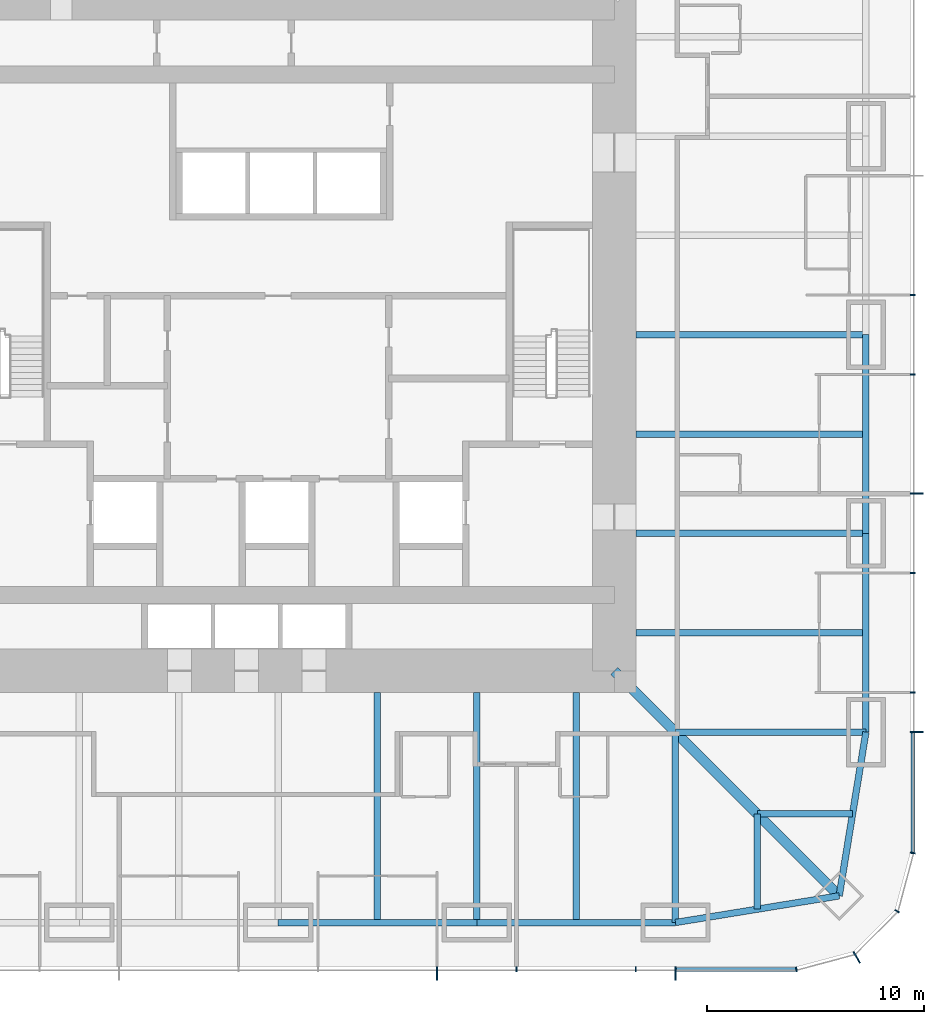
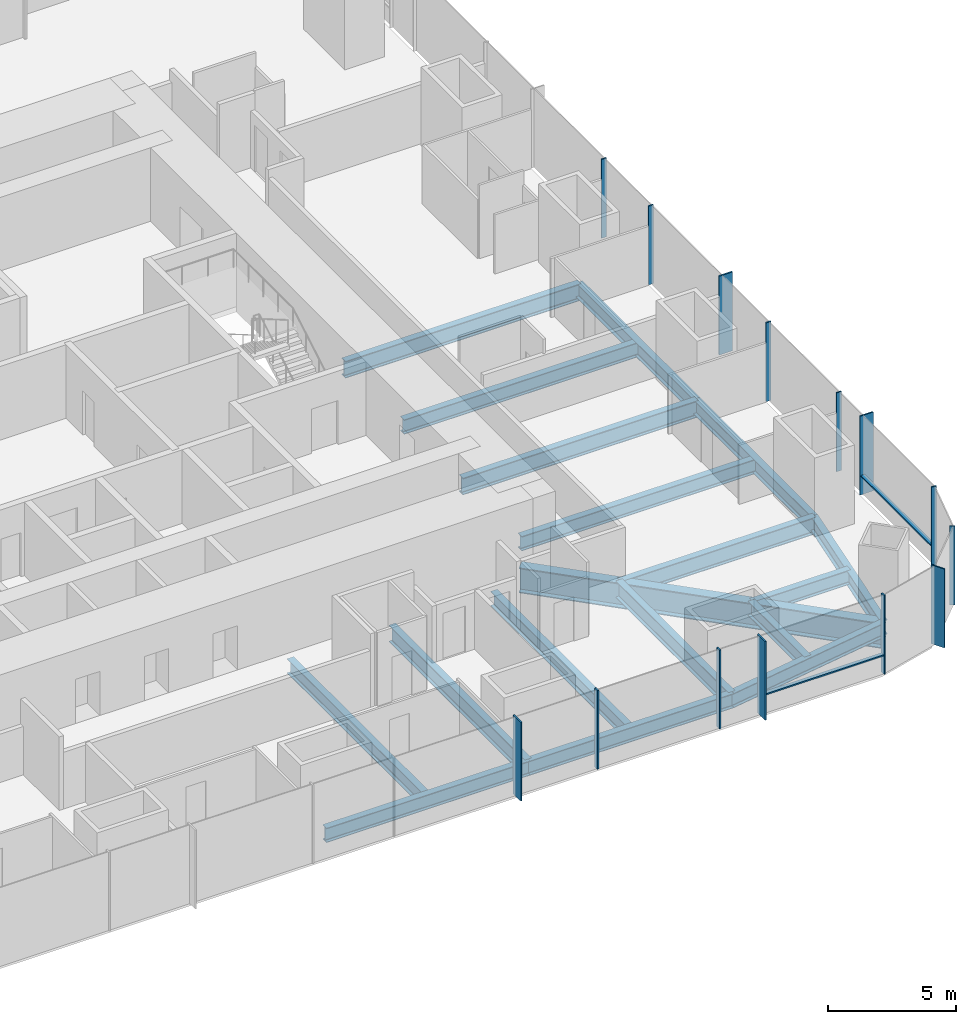
# One storey, part 4 of 13: 18 beams, 16 members, 3 elements without a shape of their own.
"""IFC4 building model written with IfcOpenShell, lengths in metres."""

from ifc_helpers import new_model, si_unit, direction, frame, origin, origin_2d, place, context, subcontext, project, spatial, rectangle, i_section, extrude, material, material_profile, profile_set, type_object, element, aggregate, save


model = new_model("IFC4")

# Units and contexts
model_context = context("Model", 3, precision=1e-05, world=origin(), true_north=direction((0.0, 1.0)))
body_context = subcontext(model_context, "Body", "Model", "MODEL_VIEW")
ifc_project = project(units=[si_unit("LENGTHUNIT", "METRE"), si_unit("AREAUNIT", "SQUARE_METRE"), si_unit("VOLUMEUNIT", "CUBIC_METRE"), si_unit("PLANEANGLEUNIT", "RADIAN"), si_unit("MASSUNIT", "GRAM", prefix="KILO")], contexts=[model_context])

# Site, building, storey
site_placement = place(None, origin())
site = spatial("IfcSite", under=ifc_project, at=site_placement, CompositionType="ELEMENT")
building_placement = place(site_placement, origin())
building = spatial("IfcBuilding", under=site, at=building_placement, Name="Khuree Lantern Residences", CompositionType="ELEMENT")
storey_placement = place(building_placement, frame((0.0, 0.0, 118.5)))
storey = spatial("IfcBuildingStorey", under=building, at=storey_placement, Name="L29", CompositionType="ELEMENT", Elevation=118.5)

# Beams
ifc_material_1 = material(Name="Steel S355", Category="steel")
ifc_material_profile_1 = material_profile(ifc_material_1, i_section(OverallWidth=0.300048828125, OverallDepth=0.68994140625, WebThickness=0.014404296875, FlangeThickness=0.027099609375, FilletRadius=0.027099609375, at=origin_2d()), Name="HE 700 A")
ifc_profile_set_1 = profile_set([ifc_material_profile_1], Name="Steel S355")
beam_type_1 = type_object("IfcBeamType", Name="B-21A SECONDARY BEAM HE 700 A", PredefinedType="BEAM", material=ifc_profile_set_1)
for number, where, z_axis, x_axis, name in (
    (1, (27.10009765625, -4.580078125, -0.594970703125), (-1.0, 0.0, 0.0), (0.0, -1.0, 0.0), "Secondary beam E4"),
    (2, (27.10009765625, -13.739990234375, -0.594970703125), (-1.0, 0.0, 0.0), (0.0, -1.0, 0.0), "Secondary beam E5"),
):
    element("IfcBeam", number, at=place(storey_placement, frame(where, z_axis=z_axis, x_axis=x_axis)), inside=storey, type_object=beam_type_1, Name=name, PredefinedType="BEAM", context=body_context, shape_type="SweptSolid", body=[
        extrude(i_section(OverallWidth=0.300048828125, OverallDepth=0.68994140625, WebThickness=0.014404296875, FlangeThickness=0.027099609375, FilletRadius=0.027099609375, at=origin_2d()), origin(), (0.0, 0.0, 1.0), 10.60009765625),
    ])
for number, where, z_axis, x_axis, name in (
    (3, (26.48486328125, -22.094970703125, -0.594970703125), (-1.0, 0.0, 0.0), (0.0, -1.0, 0.0), "Secondary beam E6"),
    (4, (22.094970703125, -26.48486328125, -0.594970703125), (0.0, 1.0, 0.0), (-1.0, 0.0, 0.0), "Secondary beam S1"),
):
    element("IfcBeam", number, at=place(storey_placement, frame(where, z_axis=z_axis, x_axis=x_axis)), inside=storey, type_object=beam_type_1, Name=name, PredefinedType="BEAM", context=body_context, shape_type="SweptSolid", body=[
        extrude(i_section(OverallWidth=0.300048828125, OverallDepth=0.68994140625, WebThickness=0.014404296875, FlangeThickness=0.027099609375, FilletRadius=0.027099609375, at=origin_2d()), origin(), (0.0, 0.0, 1.0), 4.389892578125),
    ])
for number, where, z_axis, x_axis, name in (
    (5, (13.739990234375, -27.10009765625, -0.594970703125), (0.0, 1.0, 0.0), (-1.0, 0.0, 0.0), "Secondary beam S2"),
    (6, (4.580078125, -27.10009765625, -0.594970703125), (0.0, 1.0, 0.0), (-1.0, 0.0, 0.0), "Secondary beam S3"),
):
    element("IfcBeam", number, at=place(storey_placement, frame(where, z_axis=z_axis, x_axis=x_axis)), inside=storey, type_object=beam_type_1, Name=name, PredefinedType="BEAM", context=body_context, shape_type="SweptSolid", body=[
        extrude(i_section(OverallWidth=0.300048828125, OverallDepth=0.68994140625, WebThickness=0.014404296875, FlangeThickness=0.027099609375, FilletRadius=0.027099609375, at=origin_2d()), origin(), (0.0, 0.0, 1.0), 10.60009765625),
    ])
ifc_material_profile_2 = material_profile(ifc_material_1, i_section(OverallWidth=0.300048828125, OverallDepth=0.68994140625, WebThickness=0.014404296875, FlangeThickness=0.027099609375, FilletRadius=0.027099609375, at=origin_2d()), Name="HE 700 A")
ifc_profile_set_2 = profile_set([ifc_material_profile_2], Name="Steel S355")
beam_type_2 = type_object("IfcBeamType", Name="E-21 SPANDREL BEAM HE 700 A", PredefinedType="SPANDREL", material=ifc_profile_set_2)
beam_1_placement = place(storey_placement, frame((27.10009765625, 0.0, -0.594970703125), z_axis=(0.0, -1.0, 0.0), x_axis=(1.0, 0.0, 0.0)))
element("IfcBeam", 7, at=beam_1_placement, inside=storey, type_object=beam_type_2, Name="Spandrel beam E4", PredefinedType="SPANDREL", context=body_context, shape_type="SweptSolid", body=[
    extrude(i_section(OverallWidth=0.300048828125, OverallDepth=0.68994140625, WebThickness=0.014404296875, FlangeThickness=0.027099609375, FilletRadius=0.027099609375, at=origin_2d()), origin(), (0.0, 0.0, 1.0), 9.159912109375),
])
beam_2_placement = place(storey_placement, frame((27.10009765625, -9.159912109375, -0.594970703125), z_axis=(0.0, -1.0, 0.0), x_axis=(1.0, 0.0, 0.0)))
element("IfcBeam", 8, at=beam_2_placement, inside=storey, type_object=beam_type_2, Name="Spandrel beam E5", PredefinedType="SPANDREL", context=body_context, shape_type="SweptSolid", body=[
    extrude(i_section(OverallWidth=0.300048828125, OverallDepth=0.68994140625, WebThickness=0.014404296875, FlangeThickness=0.027099609375, FilletRadius=0.027099609375, at=origin_2d()), origin(), (0.0, 0.0, 1.0), 9.16015625),
])
for number, where, z_axis, x_axis, name in (
    (9, (27.10009765625, -18.320068359375, -0.594970703125), (-0.160826723833, -0.986982656839, 0.0), (0.986982656839, -0.160826723833, 0.0), "Spandrel beam E6"),
    (10, (25.869873046875, -25.869873046875, -0.594970703125), (-0.986982656839, -0.160826723833, 0.0), (0.160826723833, -0.986982656839, 0.0), "Spandrel beam S1"),
):
    element("IfcBeam", number, at=place(storey_placement, frame(where, z_axis=z_axis, x_axis=x_axis)), inside=storey, type_object=beam_type_2, Name=name, PredefinedType="SPANDREL", context=body_context, shape_type="SweptSolid", body=[
        extrude(i_section(OverallWidth=0.300048828125, OverallDepth=0.68994140625, WebThickness=0.014404296875, FlangeThickness=0.027099609375, FilletRadius=0.027099609375, at=origin_2d()), origin(), (0.0, 0.0, 1.0), 7.6494140625),
    ])
beam_3_placement = place(storey_placement, frame((18.320068359375, -27.10009765625, -0.594970703125), z_axis=(-1.0, 0.0, 0.0), x_axis=(0.0, -1.0, 0.0)))
element("IfcBeam", 11, at=beam_3_placement, inside=storey, type_object=beam_type_2, Name="Spandrel beam S2", PredefinedType="SPANDREL", context=body_context, shape_type="SweptSolid", body=[
    extrude(i_section(OverallWidth=0.300048828125, OverallDepth=0.68994140625, WebThickness=0.014404296875, FlangeThickness=0.027099609375, FilletRadius=0.027099609375, at=origin_2d()), origin(), (0.0, 0.0, 1.0), 9.16015625),
])
beam_4_placement = place(storey_placement, frame((9.159912109375, -27.10009765625, -0.594970703125), z_axis=(-1.0, 0.0, 0.0), x_axis=(0.0, -1.0, 0.0)))
element("IfcBeam", 12, at=beam_4_placement, inside=storey, type_object=beam_type_2, Name="Spandrel beam S3", PredefinedType="SPANDREL", context=body_context, shape_type="SweptSolid", body=[
    extrude(i_section(OverallWidth=0.300048828125, OverallDepth=0.68994140625, WebThickness=0.014404296875, FlangeThickness=0.027099609375, FilletRadius=0.027099609375, at=origin_2d()), origin(), (0.0, 0.0, 1.0), 9.159912109375),
])

# Curtain wall, member
ifc_material_2 = material(Name="Bronze anodised aluminium", Category="aluminium")
curtain_wall_type_1 = type_object("IfcCurtainWallType", Name="CW-T2 TOWER CORNER CURTAIN WALL", PredefinedType="USERDEFINED", material=ifc_material_2)
curtain_wall_1_placement = place(storey_placement, origin())
curtain_wall_1 = element("IfcCurtainWall", 13, at=curtain_wall_1_placement, inside=storey, type_object=curtain_wall_type_1, Name="L29 SOUTH-EAST CORNER CURTAIN WALL", ObjectType="Faceted corner curtain wall", PredefinedType="USERDEFINED")
ifc_material_profile_3 = material_profile(ifc_material_2, rectangle(XDim=0.06494140625, YDim=0.60009765625, at=origin_2d()), Name="F1 65X600")
ifc_profile_set_3 = profile_set([ifc_material_profile_3], Name="Bronze anodised aluminium")
member_type_1 = type_object("IfcMemberType", Name="F1 BRONZE FIN MULLION TOWER 65X600", PredefinedType="MULLION", material=ifc_profile_set_3)
member_1_placement = place(storey_placement, frame((26.675048828125, -28.70654296875, 0.0), z_axis=(0.0, 0.0, 1.0), x_axis=(0.866025388199, 0.500000026995, 0.0)))
member_1 = element("IfcMember", 14, at=member_1_placement, type_object=member_type_1, Name="L29 SOUTH-EAST CORNER FIN MULLION 2", PredefinedType="MULLION", context=body_context, shape_type="SweptSolid", body=[
    extrude(rectangle(XDim=0.06494140625, YDim=0.60009765625, at=origin_2d()), origin(), (0.0, 0.0, 1.0), 3.75),
])

# Curtain wall, members
curtain_wall_type_2 = type_object("IfcCurtainWallType", Name="CW-T1 TOWER FACE CURTAIN WALL", PredefinedType="USERDEFINED", material=ifc_material_2)
curtain_wall_2_placement = place(storey_placement, origin())
curtain_wall_2 = element("IfcCurtainWall", 15, at=curtain_wall_2_placement, inside=storey, type_object=curtain_wall_type_2, Name="L29 EAST FACE CURTAIN WALL", ObjectType="Stick-built curtain wall", PredefinedType="USERDEFINED")
member_2_placement = place(storey_placement, frame((29.449951171875, -18.320068359375, 0.0), z_axis=(0.0, 0.0, 1.0), x_axis=(0.0, 1.0, 0.0)))
member_2 = element("IfcMember", 16, at=member_2_placement, type_object=member_type_1, Name="L29 EAST FACE FIN MULLION 5", PredefinedType="MULLION", context=body_context, shape_type="SweptSolid", body=[
    extrude(rectangle(XDim=0.06494140625, YDim=0.60009765625, at=origin_2d()), origin(), (0.0, 0.0, 1.0), 3.75),
])
member_3_placement = place(storey_placement, frame((29.449951171875, -7.327880859375, 0.0), z_axis=(0.0, 0.0, 1.0), x_axis=(0.0, 1.0, 0.0)))
member_3 = element("IfcMember", 17, at=member_3_placement, type_object=member_type_1, Name="L29 EAST FACE FIN MULLION 8", PredefinedType="MULLION", context=body_context, shape_type="SweptSolid", body=[
    extrude(rectangle(XDim=0.06494140625, YDim=0.60009765625, at=origin_2d()), origin(), (0.0, 0.0, 1.0), 3.75),
])

curtain_wall_3_placement = place(storey_placement, origin())
curtain_wall_3 = element("IfcCurtainWall", 18, at=curtain_wall_3_placement, inside=storey, type_object=curtain_wall_type_2, Name="L29 SOUTH FACE CURTAIN WALL", ObjectType="Stick-built curtain wall", PredefinedType="USERDEFINED")
member_4_placement = place(storey_placement, frame((7.327880859375, -29.449951171875, 0.0), z_axis=(0.0, 0.0, 1.0), x_axis=(1.0, 0.0, 0.0)))
member_4 = element("IfcMember", 19, at=member_4_placement, type_object=member_type_1, Name="L29 SOUTH FACE FIN MULLION 53", PredefinedType="MULLION", context=body_context, shape_type="SweptSolid", body=[
    extrude(rectangle(XDim=0.06494140625, YDim=0.60009765625, at=origin_2d()), origin(), (0.0, 0.0, 1.0), 3.75),
])
member_5_placement = place(storey_placement, frame((18.320068359375, -29.449951171875, 0.0), z_axis=(0.0, 0.0, 1.0), x_axis=(1.0, 0.0, 0.0)))
member_5 = element("IfcMember", 20, at=member_5_placement, type_object=member_type_1, Name="L29 SOUTH FACE FIN MULLION 56", PredefinedType="MULLION", context=body_context, shape_type="SweptSolid", body=[
    extrude(rectangle(XDim=0.06494140625, YDim=0.60009765625, at=origin_2d()), origin(), (0.0, 0.0, 1.0), 3.75),
])

# Beams
ifc_material_profile_4 = material_profile(ifc_material_1, i_section(OverallWidth=0.300048828125, OverallDepth=0.800048828125, WebThickness=0.017578125, FlangeThickness=0.032958984375, FilletRadius=0.030029296875, at=origin_2d()), Name="HE 800 B")
ifc_profile_set_4 = profile_set([ifc_material_profile_4], Name="Steel S355")
beam_type_3 = type_object("IfcBeamType", Name="G-21 GIRDER HE 800 B", PredefinedType="BEAM", material=ifc_profile_set_4)
for number, where, z_axis, x_axis, name in (
    (21, (27.10009765625, 0.0, -0.64990234375), (-1.0, 0.0, 0.0), (0.0, -1.0, 0.0), "Girder E3"),
    (22, (27.10009765625, -9.159912109375, -0.64990234375), (-1.0, 0.0, 0.0), (0.0, -1.0, 0.0), "Girder E4"),
):
    element("IfcBeam", number, at=place(storey_placement, frame(where, z_axis=z_axis, x_axis=x_axis)), inside=storey, type_object=beam_type_3, Name=name, PredefinedType="BEAM", context=body_context, shape_type="SweptSolid", body=[
        extrude(i_section(OverallWidth=0.300048828125, OverallDepth=0.800048828125, WebThickness=0.017578125, FlangeThickness=0.032958984375, FilletRadius=0.030029296875, at=origin_2d()), origin(), (0.0, 0.0, 1.0), 10.60009765625),
    ])
for number, where, z_axis, x_axis, name in (
    (23, (27.10009765625, -18.320068359375, -0.64990234375), (-1.0, 0.0, 0.0), (0.0, -1.0, 0.0), "Girder E5"),
    (24, (18.320068359375, -27.10009765625, -0.64990234375), (0.0, 1.0, 0.0), (-1.0, 0.0, 0.0), "Girder S1"),
):
    element("IfcBeam", number, at=place(storey_placement, frame(where, z_axis=z_axis, x_axis=x_axis)), inside=storey, type_object=beam_type_3, Name=name, PredefinedType="BEAM", context=body_context, shape_type="SweptSolid", body=[
        extrude(i_section(OverallWidth=0.300048828125, OverallDepth=0.800048828125, WebThickness=0.017578125, FlangeThickness=0.032958984375, FilletRadius=0.030029296875, at=origin_2d()), origin(), (0.0, 0.0, 1.0), 8.780029296875),
    ])
beam_5_placement = place(storey_placement, frame((9.159912109375, -27.10009765625, -0.64990234375), z_axis=(0.0, 1.0, 0.0), x_axis=(-1.0, 0.0, 0.0)))
element("IfcBeam", 25, at=beam_5_placement, inside=storey, type_object=beam_type_3, Name="Girder S2", PredefinedType="BEAM", context=body_context, shape_type="SweptSolid", body=[
    extrude(i_section(OverallWidth=0.300048828125, OverallDepth=0.800048828125, WebThickness=0.017578125, FlangeThickness=0.032958984375, FilletRadius=0.030029296875, at=origin_2d()), origin(), (0.0, 0.0, 1.0), 10.60009765625),
])
ifc_material_profile_5 = material_profile(ifc_material_1, i_section(OverallWidth=0.449951171875, OverallDepth=1.199951171875, WebThickness=0.02490234375, FlangeThickness=0.044921875, at=origin_2d()), Name="WELDED I 1200X450X25X45")
ifc_profile_set_5 = profile_set([ifc_material_profile_5], Name="Steel S355")
beam_type_4 = type_object("IfcBeamType", Name="GD-21 CORNER GIRDER WELDED I 1200X450X25X45", PredefinedType="BEAM", material=ifc_profile_set_5)
beam_6_placement = place(storey_placement, frame((25.869873046875, -25.869873046875, -0.85009765625), z_axis=(-0.707106781187, 0.707106781187, 0.0), x_axis=(-0.707106781187, -0.707106781187, 0.0)))
element("IfcBeam", 26, at=beam_6_placement, inside=storey, type_object=beam_type_4, Name="Corner girder SE", PredefinedType="BEAM", context=body_context, shape_type="SweptSolid", body=[
    extrude(i_section(OverallWidth=0.449951171875, OverallDepth=1.199951171875, WebThickness=0.02490234375, FlangeThickness=0.044921875, at=origin_2d()), origin(), (0.0, 0.0, 1.0), 14.665283203125),
])

# Member
ifc_material_profile_6 = material_profile(ifc_material_2, rectangle(XDim=0.06494140625, YDim=0.219970703125, at=origin_2d()), Name="M1 65X220")
ifc_profile_set_6 = profile_set([ifc_material_profile_6], Name="Bronze anodised aluminium")
member_type_2 = type_object("IfcMemberType", Name="M1 BRONZE MULLION TOWER 65X220", PredefinedType="MULLION", material=ifc_profile_set_6)
member_6_placement = place(storey_placement, frame((23.89501953125, -29.26171875, 0.0), z_axis=(0.0, 0.0, 1.0), x_axis=(0.991444857305, 0.130526223125, 0.0)))
member_6 = element("IfcMember", 27, at=member_6_placement, type_object=member_type_2, Name="L29 SOUTH-EAST CORNER MULLION 1", PredefinedType="MULLION", context=body_context, shape_type="SweptSolid", body=[
    extrude(rectangle(XDim=0.06494140625, YDim=0.219970703125, at=origin_2d()), origin(), (0.0, 0.0, 1.0), 3.75),
])

member_7_placement = place(storey_placement, frame((28.5419921875, -26.580078125, 0.0), z_axis=(0.0, 0.0, 1.0), x_axis=(0.500000026995, 0.866025388199, 0.0)))
member_7 = element("IfcMember", 28, at=member_7_placement, type_object=member_type_2, Name="L29 SOUTH-EAST CORNER MULLION 3", PredefinedType="MULLION", context=body_context, shape_type="SweptSolid", body=[
    extrude(rectangle(XDim=0.06494140625, YDim=0.219970703125, at=origin_2d()), origin(), (0.0, 0.0, 1.0), 3.75),
])

aggregate(curtain_wall_1, [member_6, member_1, member_7])

member_8_placement = place(storey_placement, frame((29.26171875, -23.89501953125, 0.0), z_axis=(0.0, 0.0, 1.0), x_axis=(0.130526223125, 0.991444857305, 0.0)))
member_8 = element("IfcMember", 29, at=member_8_placement, type_object=member_type_2, Name="L29 EAST FACE MULLION 4", PredefinedType="MULLION", context=body_context, shape_type="SweptSolid", body=[
    extrude(rectangle(XDim=0.06494140625, YDim=0.219970703125, at=origin_2d()), origin(), (0.0, 0.0, 1.0), 3.75),
])

member_9_placement = place(storey_placement, frame((29.260009765625, -16.488037109375, 0.0), z_axis=(0.0, 0.0, 1.0), x_axis=(0.0, 1.0, 0.0)))
member_9 = element("IfcMember", 30, at=member_9_placement, type_object=member_type_2, Name="L29 EAST FACE MULLION 6", PredefinedType="MULLION", context=body_context, shape_type="SweptSolid", body=[
    extrude(rectangle(XDim=0.06494140625, YDim=0.219970703125, at=origin_2d()), origin(), (0.0, 0.0, 1.0), 3.75),
])

member_10_placement = place(storey_placement, frame((29.260009765625, -10.991943359375, 0.0), z_axis=(0.0, 0.0, 1.0), x_axis=(0.0, 1.0, 0.0)))
member_10 = element("IfcMember", 31, at=member_10_placement, type_object=member_type_2, Name="L29 EAST FACE MULLION 7", PredefinedType="MULLION", context=body_context, shape_type="SweptSolid", body=[
    extrude(rectangle(XDim=0.06494140625, YDim=0.219970703125, at=origin_2d()), origin(), (0.0, 0.0, 1.0), 3.75),
])

member_11_placement = place(storey_placement, frame((29.260009765625, -1.83203125, 0.0), z_axis=(0.0, 0.0, 1.0), x_axis=(0.0, 1.0, 0.0)))
member_11 = element("IfcMember", 32, at=member_11_placement, type_object=member_type_2, Name="L29 EAST FACE MULLION 9", PredefinedType="MULLION", context=body_context, shape_type="SweptSolid", body=[
    extrude(rectangle(XDim=0.06494140625, YDim=0.219970703125, at=origin_2d()), origin(), (0.0, 0.0, 1.0), 3.75),
])

member_12_placement = place(storey_placement, frame((29.260009765625, 1.83203125, 0.0), z_axis=(0.0, 0.0, 1.0), x_axis=(0.0, 1.0, 0.0)))
member_12 = element("IfcMember", 33, at=member_12_placement, type_object=member_type_2, Name="L29 EAST FACE MULLION 10", PredefinedType="MULLION", context=body_context, shape_type="SweptSolid", body=[
    extrude(rectangle(XDim=0.06494140625, YDim=0.219970703125, at=origin_2d()), origin(), (0.0, 0.0, 1.0), 3.75),
])

member_13_placement = place(storey_placement, frame((10.991943359375, -29.260009765625, 0.0), z_axis=(0.0, 0.0, 1.0), x_axis=(1.0, 0.0, 0.0)))
member_13 = element("IfcMember", 34, at=member_13_placement, type_object=member_type_2, Name="L29 SOUTH FACE MULLION 54", PredefinedType="MULLION", context=body_context, shape_type="SweptSolid", body=[
    extrude(rectangle(XDim=0.06494140625, YDim=0.219970703125, at=origin_2d()), origin(), (0.0, 0.0, 1.0), 3.75),
])

member_14_placement = place(storey_placement, frame((16.488037109375, -29.260009765625, 0.0), z_axis=(0.0, 0.0, 1.0), x_axis=(1.0, 0.0, 0.0)))
member_14 = element("IfcMember", 35, at=member_14_placement, type_object=member_type_2, Name="L29 SOUTH FACE MULLION 55", PredefinedType="MULLION", context=body_context, shape_type="SweptSolid", body=[
    extrude(rectangle(XDim=0.06494140625, YDim=0.219970703125, at=origin_2d()), origin(), (0.0, 0.0, 1.0), 3.75),
])

ifc_material_profile_7 = material_profile(ifc_material_2, rectangle(XDim=0.179931640625, YDim=0.06494140625, at=origin_2d()), Name="T1 180X65")
ifc_profile_set_7 = profile_set([ifc_material_profile_7], Name="Bronze anodised aluminium")
member_type_3 = type_object("IfcMemberType", Name="TRANSOM T1 TOWER 180X65", PredefinedType="USERDEFINED", material=ifc_profile_set_7)
member_15_placement = place(storey_placement, frame((29.27001953125, -23.851318359375, 0.89990234375), z_axis=(0.0, 1.0, 0.0), x_axis=(-1.0, 0.0, 0.0)))
member_15 = element("IfcMember", 36, at=member_15_placement, type_object=member_type_3, Name="L29 EAST FACE TRANSOM 4.1", ObjectType="Transom", PredefinedType="USERDEFINED", context=body_context, shape_type="SweptSolid", body=[
    extrude(rectangle(XDim=0.179931640625, YDim=0.06494140625, at=origin_2d()), origin(), (0.0, 0.0, 1.0), 5.498779296875),
])

aggregate(curtain_wall_2, [member_8, member_2, member_9, member_10, member_3, member_11, member_12, member_15])

member_16_placement = place(storey_placement, frame((18.3525390625, -29.27001953125, 0.89990234375), z_axis=(1.0, 0.0, 0.0), x_axis=(0.0, 1.0, 0.0)))
member_16 = element("IfcMember", 37, at=member_16_placement, type_object=member_type_3, Name="L29 SOUTH FACE TRANSOM 56.1", ObjectType="Transom", PredefinedType="USERDEFINED", context=body_context, shape_type="SweptSolid", body=[
    extrude(rectangle(XDim=0.179931640625, YDim=0.06494140625, at=origin_2d()), origin(), (0.0, 0.0, 1.0), 5.498779296875),
])

aggregate(curtain_wall_3, [member_4, member_13, member_14, member_5, member_16])

save(model, "model.ifc")
